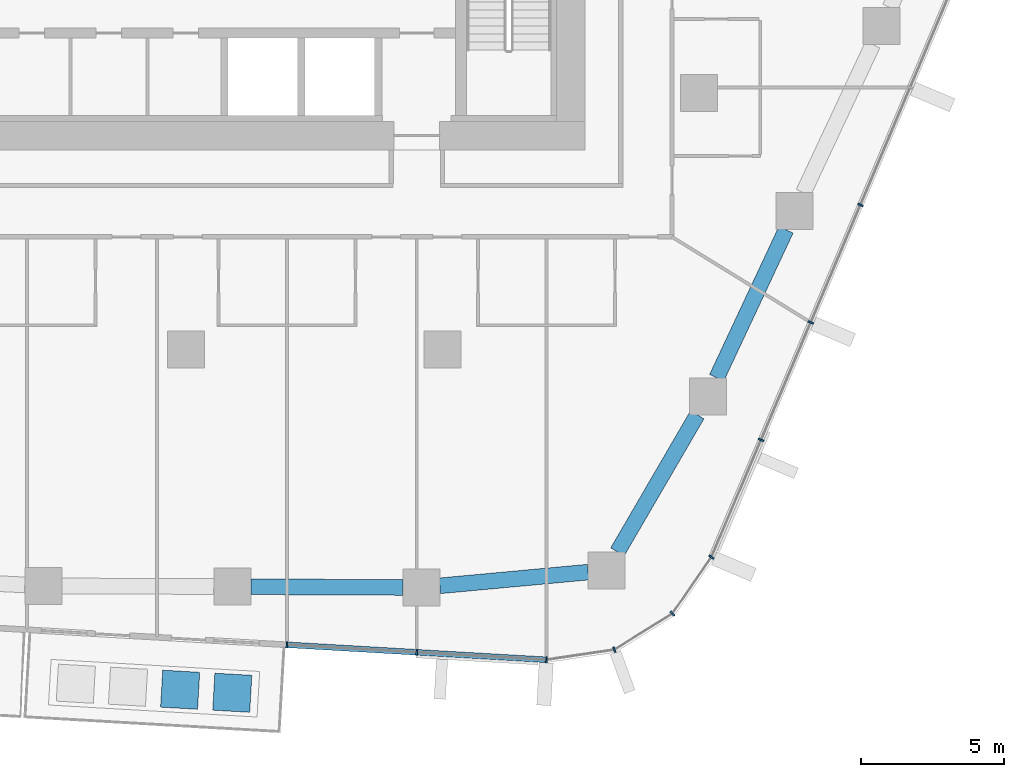
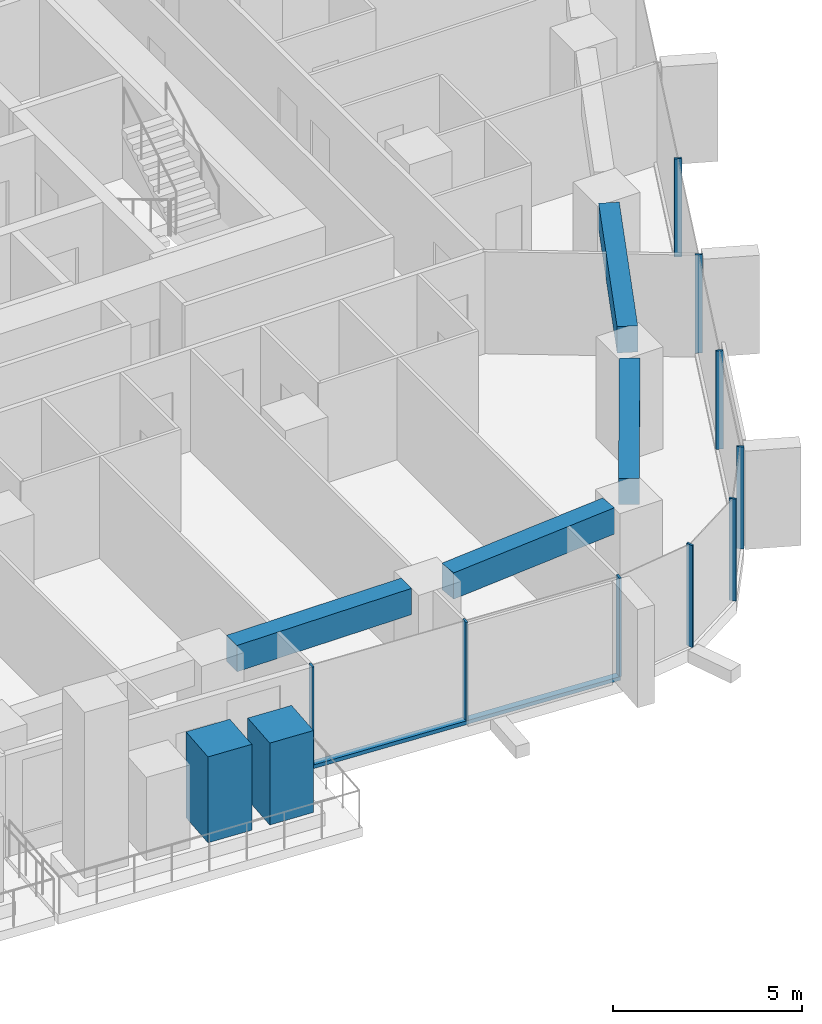
# One storey, part 4 of 24: 12 members, 4 beams, 3 elements without a shape of their own.
"""IFC4 building model written with IfcOpenShell, lengths in metres."""

from ifc_helpers import new_model, si_unit, direction, frame, origin, origin_2d, place, context, subcontext, project, spatial, rectangle, extrude, material, layer, layer_set, material_profile, profile_set, type_object, element, aggregate, save


model = new_model("IFC4")

# Units and contexts
model_context = context("Model", 3, precision=1e-05, world=origin(), true_north=direction((0.0, 1.0)))
body_context = subcontext(model_context, "Body", "Model", "MODEL_VIEW")
ifc_project = project(units=[si_unit("LENGTHUNIT", "METRE"), si_unit("AREAUNIT", "SQUARE_METRE"), si_unit("VOLUMEUNIT", "CUBIC_METRE"), si_unit("PLANEANGLEUNIT", "RADIAN"), si_unit("MASSUNIT", "GRAM", prefix="KILO")], contexts=[model_context])

# Site, building, storey
site_placement = place(None, origin())
site = spatial("IfcSite", under=ifc_project, at=site_placement, CompositionType="ELEMENT")
building_placement = place(site_placement, origin())
building = spatial("IfcBuilding", under=site, at=building_placement, Name="Dongbaek Canopy Tower", CompositionType="ELEMENT")
storey_placement = place(building_placement, frame((0.0, 0.0, 124.800048828125)))
storey = spatial("IfcBuildingStorey", under=building, at=storey_placement, Name="L27", CompositionType="ELEMENT", Elevation=124.800048828125)

# Curtain wall, members
ifc_material_1 = material(Name="Aluminium 6063-T6 pale anodised", Category="aluminium")
ifc_layer = layer(ifc_material_1, 0.199951171875)
ifc_layer_set = layer_set([ifc_layer], Name="CW-1 unitised tower curtain wall")
curtain_wall_type = type_object("IfcCurtainWallType", Name="CW-1 unitised tower curtain wall", PredefinedType="NOTDEFINED", material=ifc_layer_set)
curtain_wall_1_placement = place(storey_placement, origin())
curtain_wall_1 = element("IfcCurtainWall", 1, at=curtain_wall_1_placement, inside=storey, type_object=curtain_wall_type, Name="CW-1 curtain wall F4.1", PredefinedType="NOTDEFINED")
ifc_material_2 = material(Name="Aluminium 6063-T6 pale anodised", Category="aluminium")
ifc_material_profile_1 = material_profile(ifc_material_2, rectangle(XDim=0.199951171875, YDim=0.06005859375, at=origin_2d()), Name="CW-1 mullion 60 x 200")
ifc_profile_set_1 = profile_set([ifc_material_profile_1], Name="Aluminium 6063-T6 pale anodised")
member_type_1 = type_object("IfcMemberType", Name="CW-1 mullion 60 x 200", PredefinedType="MULLION", material=ifc_profile_set_1)
member_1_placement = place(storey_placement, frame((3.545166015625, -28.357666015625, 0.119873046875), z_axis=(0.0, 0.0, 1.0), x_axis=(-0.057753163239, -0.998330893109, 0.0)))
member_1 = element("IfcMember", 2, at=member_1_placement, type_object=member_type_1, Name="CW-1 mullion F4.1.1", PredefinedType="MULLION", context=body_context, shape_type="SweptSolid", body=[
    extrude(rectangle(XDim=0.199951171875, YDim=0.06005859375, at=origin_2d()), origin(), (0.0, 0.0, 1.0), 3.18017578125),
])
member_2_placement = place(storey_placement, frame((8.101318359375, -28.621337890625, 0.119873046875), z_axis=(0.0, 0.0, 1.0), x_axis=(-0.057753163239, -0.998330893109, 0.0)))
member_2 = element("IfcMember", 3, at=member_2_placement, type_object=member_type_1, Name="CW-1 mullion F4.1.2", PredefinedType="MULLION", context=body_context, shape_type="SweptSolid", body=[
    extrude(rectangle(XDim=0.199951171875, YDim=0.06005859375, at=origin_2d()), origin(), (0.0, 0.0, 1.0), 3.18017578125),
])
member_3_placement = place(storey_placement, frame((12.647216796875, -28.88427734375, 0.119873046875), z_axis=(0.0, 0.0, 1.0), x_axis=(-0.057753163239, -0.998330893109, 0.0)))
member_3 = element("IfcMember", 4, at=member_3_placement, type_object=member_type_1, Name="CW-1 mullion F4.1.3", PredefinedType="MULLION", context=body_context, shape_type="SweptSolid", body=[
    extrude(rectangle(XDim=0.199951171875, YDim=0.06005859375, at=origin_2d()), origin(), (0.0, 0.0, 1.0), 3.18017578125),
])

curtain_wall_2_placement = place(storey_placement, origin())
curtain_wall_2 = element("IfcCurtainWall", 5, at=curtain_wall_2_placement, inside=storey, type_object=curtain_wall_type, Name="CW-1 curtain wall K5.1", PredefinedType="NOTDEFINED")
member_4_placement = place(storey_placement, frame((15.02978515625, -28.53173828125, 0.0), z_axis=(0.0, 0.0, 1.0), x_axis=(0.344450618271, -0.938804437342, 0.0)))
member_4 = element("IfcMember", 6, at=member_4_placement, type_object=member_type_1, Name="CW-1 mullion K5.1.2", PredefinedType="MULLION", context=body_context, shape_type="SweptSolid", body=[
    extrude(rectangle(XDim=0.199951171875, YDim=0.06005859375, at=origin_2d()), origin(), (0.0, 0.0, 1.0), 3.300048828125),
])
member_5_placement = place(storey_placement, frame((17.066162109375, -27.265380859375, 0.0), z_axis=(0.0, 0.0, 1.0), x_axis=(0.689712826915, -0.724083017608, 0.0)))
member_5 = element("IfcMember", 7, at=member_5_placement, type_object=member_type_1, Name="CW-1 mullion K5.1.3", PredefinedType="MULLION", context=body_context, shape_type="SweptSolid", body=[
    extrude(rectangle(XDim=0.199951171875, YDim=0.06005859375, at=origin_2d()), origin(), (0.0, 0.0, 1.0), 3.300048828125),
])
member_6_placement = place(storey_placement, frame((18.435791015625, -25.2841796875, 0.0), z_axis=(0.0, 0.0, 1.0), x_axis=(0.822510897194, -0.568749350767, 0.0)))
member_6 = element("IfcMember", 8, at=member_6_placement, type_object=member_type_1, Name="CW-1 mullion K5.1.4", PredefinedType="MULLION", context=body_context, shape_type="SweptSolid", body=[
    extrude(rectangle(XDim=0.199951171875, YDim=0.06005859375, at=origin_2d()), origin(), (0.0, 0.0, 1.0), 3.300048828125),
])
aggregate(curtain_wall_2, [member_4, member_5, member_6])

curtain_wall_3_placement = place(storey_placement, origin())
curtain_wall_3 = element("IfcCurtainWall", 9, at=curtain_wall_3_placement, inside=storey, type_object=curtain_wall_type, Name="CW-1 curtain wall F5.1", PredefinedType="NOTDEFINED")
member_7_placement = place(storey_placement, frame((20.175537109375, -21.1728515625, 0.119873046875), z_axis=(0.0, 0.0, 1.0), x_axis=(0.920957724744, -0.389662506836, 0.0)))
member_7 = element("IfcMember", 10, at=member_7_placement, type_object=member_type_1, Name="CW-1 mullion F5.1.2", PredefinedType="MULLION", context=body_context, shape_type="SweptSolid", body=[
    extrude(rectangle(XDim=0.199951171875, YDim=0.06005859375, at=origin_2d()), origin(), (0.0, 0.0, 1.0), 3.18017578125),
])
member_8_placement = place(storey_placement, frame((21.919189453125, -17.0517578125, 0.119873046875), z_axis=(0.0, 0.0, 1.0), x_axis=(0.920957724744, -0.389662506836, 0.0)))
member_8 = element("IfcMember", 11, at=member_8_placement, type_object=member_type_1, Name="CW-1 mullion F5.1.3", PredefinedType="MULLION", context=body_context, shape_type="SweptSolid", body=[
    extrude(rectangle(XDim=0.199951171875, YDim=0.06005859375, at=origin_2d()), origin(), (0.0, 0.0, 1.0), 3.18017578125),
])
member_9_placement = place(storey_placement, frame((23.66259765625, -12.930908203125, 0.119873046875), z_axis=(0.0, 0.0, 1.0), x_axis=(0.920957724744, -0.389662506836, 0.0)))
member_9 = element("IfcMember", 12, at=member_9_placement, type_object=member_type_1, Name="CW-1 mullion F5.1.4", PredefinedType="MULLION", context=body_context, shape_type="SweptSolid", body=[
    extrude(rectangle(XDim=0.199951171875, YDim=0.06005859375, at=origin_2d()), origin(), (0.0, 0.0, 1.0), 3.18017578125),
])
aggregate(curtain_wall_3, [member_7, member_8, member_9])

# Member
ifc_material_3 = material(Name="Aluminium 6063-T6 pale anodised", Category="aluminium")
ifc_material_profile_2 = material_profile(ifc_material_3, rectangle(XDim=0.199951171875, YDim=0.1201171875, at=origin_2d()), Name="CW-1 transom 120 x 200")
ifc_profile_set_2 = profile_set([ifc_material_profile_2], Name="Aluminium 6063-T6 pale anodised")
member_type_2 = type_object("IfcMemberType", Name="CW-1 transom 120 x 200", PredefinedType="USERDEFINED", material=ifc_profile_set_2)
member_10_placement = place(storey_placement, frame((3.545166015625, -28.357666015625, 0.06005859375), z_axis=(0.998330512176, -0.057759747727, 0.0), x_axis=(0.057759747727, 0.998330512176, 0.0)))
member_10 = element("IfcMember", 13, at=member_10_placement, type_object=member_type_2, Name="CW-1 transom F4.1.1", ObjectType="TRANSOM", PredefinedType="USERDEFINED", context=body_context, shape_type="SweptSolid", body=[
    extrude(rectangle(XDim=0.199951171875, YDim=0.1201171875, at=origin_2d()), origin(), (0.0, 0.0, 1.0), 9.1171875),
])

aggregate(curtain_wall_1, [member_1, member_2, member_3, member_10])

# Beams
ifc_material_4 = material(Name="Concrete C80", Category="concrete")
ifc_material_profile_3 = material_profile(ifc_material_4, rectangle(XDim=0.550048828125, YDim=0.85009765625, at=origin_2d()), Name="RC EDGE BEAM 550x850 C80")
ifc_profile_set_3 = profile_set([ifc_material_profile_3], Name="Concrete C80")
beam_type = type_object("IfcBeamType", Name="RC EDGE BEAM 550x850 C80", PredefinedType="BEAM", material=ifc_profile_set_3)
beam_1_placement = place(storey_placement, frame((14.110107421875, -25.80908203125, 2.875), z_axis=(-0.995770494827, -0.091875576911, 0.0), x_axis=(0.091875576911, -0.995770494827, 0.0)))
element("IfcBeam", 14, at=beam_1_placement, inside=storey, type_object=beam_type, Name="EDGEBEAM:L27:00", PredefinedType="BEAM", context=body_context, shape_type="SweptSolid", body=[
    extrude(rectangle(XDim=0.550048828125, YDim=0.85009765625, at=origin_2d()), origin(), (0.0, 0.0, 1.0), 5.224365234375),
])
beam_2_placement = place(storey_placement, frame((7.60791015625, -26.34619140625, 2.875), z_axis=(-0.999989714022, 0.004535620181, 0.0), x_axis=(-0.004535620181, -0.999989714022, 0.0)))
element("IfcBeam", 15, at=beam_2_placement, inside=storey, type_object=beam_type, Name="EDGEBEAM:L27:01", PredefinedType="BEAM", context=body_context, shape_type="SweptSolid", body=[
    extrude(rectangle(XDim=0.550048828125, YDim=0.85009765625, at=origin_2d()), origin(), (0.0, 0.0, 1.0), 5.328857421875),
])
beam_3_placement = place(storey_placement, frame((21.051513671875, -13.800048828125, 2.875), z_axis=(-0.424209119096, -0.905564256845, 0.0), x_axis=(0.905564256845, -0.424209119096, 0.0)))
element("IfcBeam", 16, at=beam_3_placement, inside=storey, type_object=beam_type, Name="EDGEBEAM:L27:24", PredefinedType="BEAM", context=body_context, shape_type="SweptSolid", body=[
    extrude(rectangle(XDim=0.550048828125, YDim=0.85009765625, at=origin_2d()), origin(), (0.0, 0.0, 1.0), 5.7333984375),
])
beam_4_placement = place(storey_placement, frame((17.9365234375, -20.2919921875, 2.875), z_axis=(-0.503057531083, -0.864252926186, 0.0), x_axis=(0.864252926186, -0.503057531083, 0.0)))
element("IfcBeam", 17, at=beam_4_placement, inside=storey, type_object=beam_type, Name="EDGEBEAM:L27:25", PredefinedType="BEAM", context=body_context, shape_type="SweptSolid", body=[
    extrude(rectangle(XDim=0.550048828125, YDim=0.85009765625, at=origin_2d()), origin(), (0.0, 0.0, 1.0), 5.562255859375),
])

# Members
ifc_material_5 = material(Name="Concrete C40/50 planter mass with planting", Category="concrete")
ifc_material_profile_4 = material_profile(ifc_material_5, rectangle(XDim=1.300048828125, YDim=1.300048828125, at=origin_2d()), Name="Terrace PLANTER shrub mass 1300 x 1300")
ifc_profile_set_4 = profile_set([ifc_material_profile_4], Name="Concrete C40/50 planter mass with planting")
member_type_3 = type_object("IfcMemberType", Name="Terrace PLANTER shrub mass 1300 x 1300", PredefinedType="USERDEFINED", material=ifc_profile_set_4)
member_11_placement = place(storey_placement, frame((-0.199951171875, -29.93408203125, 0.419921875), z_axis=(0.0, 0.0, 1.0), x_axis=(-0.057753163239, -0.998330893109, 0.0)))
element("IfcMember", 18, at=member_11_placement, inside=storey, type_object=member_type_3, Name="Planter shrubs L27 4.3", ObjectType="PLANTER", PredefinedType="USERDEFINED", context=body_context, shape_type="SweptSolid", body=[
    extrude(rectangle(XDim=1.300048828125, YDim=1.300048828125, at=origin_2d()), origin(), (0.0, 0.0, 1.0), 2.780029296875),
])
member_12_placement = place(storey_placement, frame((1.62890625, -30.039794921875, 0.419921875), z_axis=(0.0, 0.0, 1.0), x_axis=(-0.057753163239, -0.998330893109, 0.0)))
element("IfcMember", 19, at=member_12_placement, inside=storey, type_object=member_type_3, Name="Planter shrubs L27 4.4", ObjectType="PLANTER", PredefinedType="USERDEFINED", context=body_context, shape_type="SweptSolid", body=[
    extrude(rectangle(XDim=1.300048828125, YDim=1.300048828125, at=origin_2d()), origin(), (0.0, 0.0, 1.0), 2.650146484375),
])

save(model, "model.ifc")
